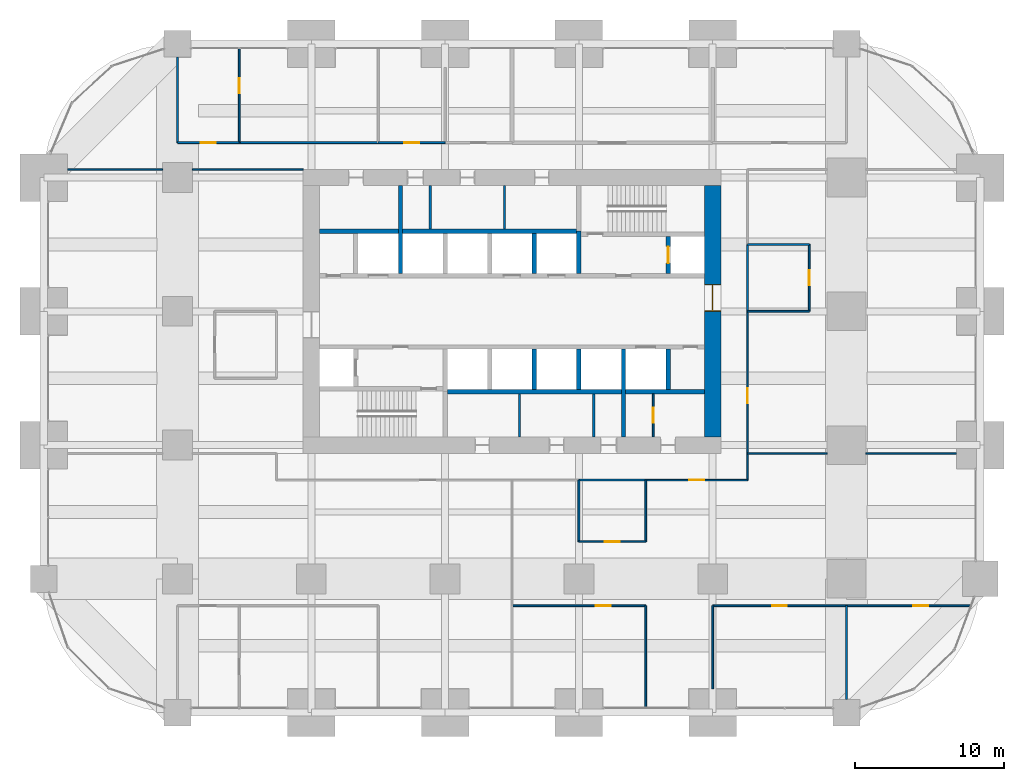
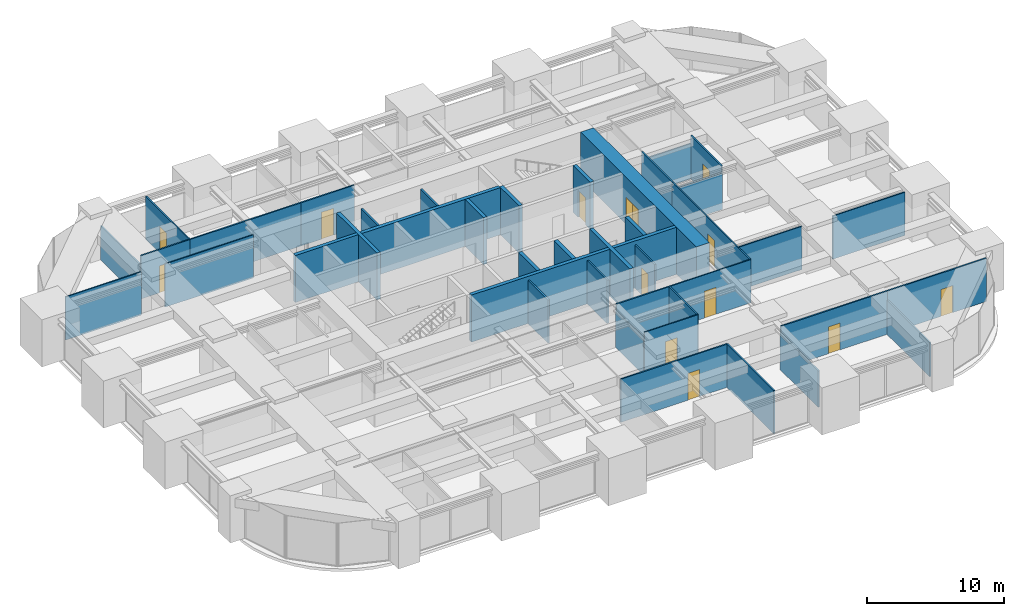
# One storey, part 43 of 45: 41 walls, 13 doors, 13 openings.
"""IFC4 building model written with IfcOpenShell, lengths in metres."""

from ifc_helpers import new_model, si_unit, direction, frame, frame_2d, origin, place, context, subcontext, project, spatial, rectangle, extrude, material, layer, layer_set, type_object, element, fill, save


model = new_model("IFC4")

# Units and contexts
model_context = context("Model", 3, precision=1e-05, world=origin(), true_north=direction((0.0, 1.0)))
body_context = subcontext(model_context, "Body", "Model", "MODEL_VIEW")
ifc_project = project(units=[si_unit("LENGTHUNIT", "METRE"), si_unit("AREAUNIT", "SQUARE_METRE"), si_unit("VOLUMEUNIT", "CUBIC_METRE"), si_unit("PLANEANGLEUNIT", "RADIAN"), si_unit("MASSUNIT", "GRAM", prefix="KILO")], contexts=[model_context])

# Site, building, storey
site_placement = place(None, origin())
site = spatial("IfcSite", under=ifc_project, at=site_placement, CompositionType="ELEMENT")
building_placement = place(site_placement, origin())
building = spatial("IfcBuilding", under=site, at=building_placement, Name="Zorevar Civic Tower", CompositionType="ELEMENT")
storey_placement = place(building_placement, frame((0.0, 0.0, 153.0)))
storey = spatial("IfcBuildingStorey", under=building, at=storey_placement, Name="L37", CompositionType="ELEMENT", Elevation=153.0)

# Wall, opening, door
ifc_material_1 = material(Name="Concrete C50/60", Category="concrete")
ifc_layer_1 = layer(ifc_material_1, 1.10009765625)
ifc_layer_set_1 = layer_set([ifc_layer_1], Name="Core wall 1100")
wall_type_1 = type_object("IfcWallType", Name="Core wall 1100", PredefinedType="SHEAR", material=ifc_layer_set_1)
wall_1_placement = place(storey_placement, frame((45.0, 18.550048828125, 0.0), z_axis=(0.0, 0.0, 1.0), x_axis=(0.0, 1.0, 0.0)))
wall_1 = element("IfcWall", 1, at=wall_1_placement, inside=storey, type_object=wall_type_1, Name="Core wall E L37", PredefinedType="SHEAR", context=body_context, shape_type="SweptSolid", body=[
    extrude(rectangle(XDim=16.89990234375, YDim=1.10009765625, at=frame_2d((8.449951171875, 0.0))), origin(), (0.0, 0.0, 1.0), 4.199951171875),
])
opening_1_placement = place(wall_1_placement, frame((8.449951171875, 0.0, 0.0)))
opening_1 = element("IfcOpeningElement", 2, at=opening_1_placement, cuts=wall_1, Name="Opening L37.02", PredefinedType="OPENING", context=body_context, shape_type="SweptSolid", body=[
    extrude(rectangle(XDim=1.800048828125, YDim=2.39990234375, at=frame_2d((0.89990234375, 1.199951171875))), frame((0.0, 0.56005859375, 0.0), z_axis=(0.0, -1.0, 0.0), x_axis=(1.0, 0.0, 0.0)), (0.0, 0.0, 1.0), 1.1201171875),
])
ifc_material_2 = material(Name="Steel door set", Category="steel")
door_type_1 = type_object("IfcDoorType", Name="Fire door FD2 1800x2400", OperationType="DOUBLE_DOOR_DOUBLE_SWING", PredefinedType="DOOR", material=ifc_material_2)
door_1_placement = place(opening_1_placement, origin())
door_1 = element("IfcDoor", 3, at=door_1_placement, inside=storey, type_object=door_type_1, Name="Door L37 01", OperationType="DOUBLE_DOOR_DOUBLE_SWING", OverallHeight=2.39990234375, OverallWidth=1.800048828125, PredefinedType="DOOR", context=body_context, shape_type="SweptSolid", body=[
    extrude(rectangle(XDim=1.800048828125, YDim=2.39990234375, at=frame_2d((0.89990234375, 1.199951171875))), frame((0.0, 0.030029296875, 0.0), z_axis=(0.0, -1.0, 0.0), x_axis=(1.0, 0.0, 0.0)), (0.0, 0.0, 1.0), 0.06005859375),
    extrude(rectangle(XDim=0.04, YDim=2.39990234375, at=frame_2d((0.02001953125, 1.199951171875))), frame((0.0, 0.5498046875, 0.0), z_axis=(0.0, -1.0, 0.0), x_axis=(1.0, 0.0, 0.0)), (0.0, 0.0, 1.0), 1.099609375),
    extrude(rectangle(XDim=0.04, YDim=2.39990234375, at=frame_2d((1.780029296875, 1.199951171875))), frame((0.0, 0.5498046875, 0.0), z_axis=(0.0, -1.0, 0.0), x_axis=(1.0, 0.0, 0.0)), (0.0, 0.0, 1.0), 1.099609375),
    extrude(rectangle(XDim=1.800048828125, YDim=0.04, at=frame_2d((0.89990234375, 2.3798828125))), frame((0.0, 0.5498046875, 0.0), z_axis=(0.0, -1.0, 0.0), x_axis=(1.0, 0.0, 0.0)), (0.0, 0.0, 1.0), 1.099609375),
])
fill(opening_1, door_1)

ifc_material_3 = material(Name="Laminated glass in black aluminium frame", Category="aluminium")
ifc_layer_2 = layer(ifc_material_3, 0.10009765625)
ifc_layer_set_2 = layer_set([ifc_layer_2], Name="Glazed partition 100")
wall_type_2 = type_object("IfcWallType", Name="Glazed partition 100", PredefinedType="PARTITIONING", material=ifc_layer_set_2)
wall_2_placement = place(storey_placement, frame((36.0, 11.5, 0.0), z_axis=(0.0, 0.0, 1.0), x_axis=(1.0, 0.0, 0.0)))
wall_2 = element("IfcWall", 4, at=wall_2_placement, inside=storey, type_object=wall_type_2, Name="Glazed partition 100 L37", PredefinedType="PARTITIONING", context=body_context, shape_type="SweptSolid", body=[
    extrude(rectangle(XDim=4.5, YDim=0.10009765625, at=frame_2d((2.25, 0.0))), origin(), (0.0, 0.0, 1.0), 3.85009765625),
])
opening_2_placement = place(wall_2_placement, frame((1.75, 0.0, 0.0)))
opening_2 = element("IfcOpeningElement", 5, at=opening_2_placement, cuts=wall_2, Name="Opening L37.21", PredefinedType="OPENING", context=body_context, shape_type="SweptSolid", body=[
    extrude(rectangle(XDim=1.0, YDim=2.39990234375, at=frame_2d((0.5, 1.199951171875))), frame((0.0, 0.06005859375, 0.0), z_axis=(0.0, -1.0, 0.0), x_axis=(1.0, 0.0, 0.0)), (0.0, 0.0, 1.0), 0.1201171875),
])
ifc_material_4 = material(Name="Timber door set", Category="wood")
door_type_2 = type_object("IfcDoorType", Name="Glazed door GD1 1000x2400", OperationType="SINGLE_SWING_LEFT", PredefinedType="DOOR", material=ifc_material_4)
door_2_placement = place(opening_2_placement, origin())
door_2 = element("IfcDoor", 6, at=door_2_placement, inside=storey, type_object=door_type_2, Name="Door L37 D1", OperationType="SINGLE_SWING_LEFT", OverallHeight=2.39990234375, OverallWidth=1.0, PredefinedType="DOOR", context=body_context, shape_type="SweptSolid", body=[
    extrude(rectangle(XDim=1.0, YDim=2.39990234375, at=frame_2d((0.5, 1.199951171875))), frame((0.0, 0.02001953125, 0.0), z_axis=(0.0, -1.0, 0.0), x_axis=(1.0, 0.0, 0.0)), (0.0, 0.0, 1.0), 0.0400390625),
])
fill(opening_2, door_2)

wall_3_placement = place(storey_placement, frame((40.5, 15.64990234375, 0.0), z_axis=(0.0, 0.0, 1.0), x_axis=(1.0, 0.0, 0.0)))
wall_3 = element("IfcWall", 7, at=wall_3_placement, inside=storey, type_object=wall_type_2, Name="Glazed partition 100 L37", PredefinedType="PARTITIONING", context=body_context, shape_type="SweptSolid", body=[
    extrude(rectangle(XDim=6.85009765625, YDim=0.10009765625, at=frame_2d((3.425048828125, 0.0))), origin(), (0.0, 0.0, 1.0), 3.85009765625),
])
opening_3_placement = place(wall_3_placement, frame((2.925048828125, 0.0, 0.0)))
opening_3 = element("IfcOpeningElement", 8, at=opening_3_placement, cuts=wall_3, Name="Opening L37.23", PredefinedType="OPENING", context=body_context, shape_type="SweptSolid", body=[
    extrude(rectangle(XDim=1.0, YDim=2.39990234375, at=frame_2d((0.5, 1.199951171875))), frame((0.0, 0.06005859375, 0.0), z_axis=(0.0, -1.0, 0.0), x_axis=(1.0, 0.0, 0.0)), (0.0, 0.0, 1.0), 0.1201171875),
])
door_3_placement = place(opening_3_placement, origin())
door_3 = element("IfcDoor", 9, at=door_3_placement, inside=storey, type_object=door_type_2, Name="Door L37 D1", OperationType="SINGLE_SWING_LEFT", OverallHeight=2.39990234375, OverallWidth=1.0, PredefinedType="DOOR", context=body_context, shape_type="SweptSolid", body=[
    extrude(rectangle(XDim=1.0, YDim=2.39990234375, at=frame_2d((0.5, 1.199951171875))), frame((0.0, 0.02001953125, 0.0), z_axis=(0.0, -1.0, 0.0), x_axis=(1.0, 0.0, 0.0)), (0.0, 0.0, 1.0), 0.0400390625),
])
fill(opening_3, door_3)

# Walls
wall_4_placement = place(storey_placement, frame((47.35009765625, 17.449951171875, 0.0), z_axis=(0.0, 0.0, 1.0), x_axis=(1.0, 0.0, 0.0)))
element("IfcWall", 10, at=wall_4_placement, inside=storey, type_object=wall_type_2, Name="Glazed partition 100 L37", PredefinedType="PARTITIONING", context=body_context, shape_type="SweptSolid", body=[
    extrude(rectangle(XDim=5.349853515625, YDim=0.10009765625, at=frame_2d((2.6748046875, 0.0))), origin(), (0.0, 0.0, 1.0), 3.85009765625),
])
wall_5_placement = place(storey_placement, frame((55.300048828125, 17.449951171875, 0.0), z_axis=(0.0, 0.0, 1.0), x_axis=(1.0, 0.0, 0.0)))
element("IfcWall", 11, at=wall_5_placement, inside=storey, type_object=wall_type_2, Name="Glazed partition 100 L37", PredefinedType="PARTITIONING", context=body_context, shape_type="SweptSolid", body=[
    extrude(rectangle(XDim=6.099853515625, YDim=0.10009765625, at=frame_2d((3.0498046875, 0.0))), origin(), (0.0, 0.0, 1.0), 3.85009765625),
])
wall_6_placement = place(storey_placement, frame((1.60009765625, 36.550048828125, 0.0), z_axis=(0.0, 0.0, 1.0), x_axis=(1.0, 0.0, 0.0)))
element("IfcWall", 12, at=wall_6_placement, inside=storey, type_object=wall_type_2, Name="Glazed partition 100 L37", PredefinedType="PARTITIONING", context=body_context, shape_type="SweptSolid", body=[
    extrude(rectangle(XDim=6.39990234375, YDim=0.10009765625, at=frame_2d((3.199951171875, 0.0))), origin(), (0.0, 0.0, 1.0), 3.85009765625),
])
wall_7_placement = place(storey_placement, frame((10.0, 36.550048828125, 0.0), z_axis=(0.0, 0.0, 1.0), x_axis=(1.0, 0.0, 0.0)))
element("IfcWall", 13, at=wall_7_placement, inside=storey, type_object=wall_type_2, Name="Glazed partition 100 L37", PredefinedType="PARTITIONING", context=body_context, shape_type="SweptSolid", body=[
    extrude(rectangle(XDim=7.449951171875, YDim=0.10009765625, at=frame_2d((3.72509765625, 0.0))), origin(), (0.0, 0.0, 1.0), 3.85009765625),
])

# Wall, opening, door
wall_8_placement = place(storey_placement, frame((47.35009765625, 15.64990234375, 0.0), z_axis=(0.0, 0.0, 1.0), x_axis=(0.0, 1.0, 0.0)))
wall_8 = element("IfcWall", 14, at=wall_8_placement, inside=storey, type_object=wall_type_2, Name="Glazed partition 100 L37", PredefinedType="PARTITIONING", context=body_context, shape_type="SweptSolid", body=[
    extrude(rectangle(XDim=11.35009765625, YDim=0.10009765625, at=frame_2d((5.675048828125, 0.0))), origin(), (0.0, 0.0, 1.0), 3.85009765625),
])
opening_4_placement = place(wall_8_placement, frame((5.175048828125, 0.0, 0.0)))
opening_4 = element("IfcOpeningElement", 15, at=opening_4_placement, cuts=wall_8, Name="Opening L37.32", PredefinedType="OPENING", context=body_context, shape_type="SweptSolid", body=[
    extrude(rectangle(XDim=1.0, YDim=2.39990234375, at=frame_2d((0.5, 1.199951171875))), frame((0.0, 0.06005859375, 0.0), z_axis=(0.0, -1.0, 0.0), x_axis=(1.0, 0.0, 0.0)), (0.0, 0.0, 1.0), 0.1201171875),
])
door_4_placement = place(opening_4_placement, origin())
door_4 = element("IfcDoor", 16, at=door_4_placement, inside=storey, type_object=door_type_2, Name="Door L37 D1", OperationType="SINGLE_SWING_LEFT", OverallHeight=2.39990234375, OverallWidth=1.0, PredefinedType="DOOR", context=body_context, shape_type="SweptSolid", body=[
    extrude(rectangle(XDim=1.0, YDim=2.39990234375, at=frame_2d((0.5, 1.199951171875))), frame((0.0, 0.02001953125, 0.0), z_axis=(0.0, -1.0, 0.0), x_axis=(1.0, 0.0, 0.0)), (0.0, 0.0, 1.0), 0.0400390625),
])
fill(opening_4, door_4)

ifc_material_5 = material(Name="Concrete C40/50", Category="concrete")
ifc_layer_3 = layer(ifc_material_5, 0.300048828125)
ifc_layer_set_3 = layer_set([ifc_layer_3], Name="Inner core wall 300")
wall_type_3 = type_object("IfcWallType", Name="Inner core wall 300", PredefinedType="SHEAR", material=ifc_layer_set_3)
wall_9_placement = place(storey_placement, frame((42.0, 29.550048828125, 0.0), z_axis=(0.0, 0.0, 1.0), x_axis=(0.0, 1.0, 0.0)))
wall_9 = element("IfcWall", 17, at=wall_9_placement, inside=storey, type_object=wall_type_3, Name="Inner core wall N02 L37", PredefinedType="SHEAR", context=body_context, shape_type="SweptSolid", body=[
    extrude(rectangle(XDim=2.5, YDim=0.300048828125, at=frame_2d((1.25, 0.0))), origin(), (0.0, 0.0, 1.0), 4.199951171875),
])
opening_5_placement = place(wall_9_placement, frame((0.699951171875, 0.0, 0.0)))
opening_5 = element("IfcOpeningElement", 18, at=opening_5_placement, cuts=wall_9, Name="Opening L37.FL2", PredefinedType="OPENING", context=body_context, shape_type="SweptSolid", body=[
    extrude(rectangle(XDim=1.10009765625, YDim=2.39990234375, at=frame_2d((0.550048828125, 1.199951171875))), frame((0.0, 0.159912109375, 0.0), z_axis=(0.0, -1.0, 0.0), x_axis=(1.0, 0.0, 0.0)), (0.0, 0.0, 1.0), 0.320068359375),
])
ifc_material_6 = material(Name="Steel door set", Category="steel")
door_type_3 = type_object("IfcDoorType", Name="Firefighting lift landing door LD3 1100x2400", OperationType="DOUBLE_DOOR_SLIDING", PredefinedType="DOOR", material=ifc_material_6)
door_5_placement = place(opening_5_placement, origin())
door_5 = element("IfcDoor", 19, at=door_5_placement, inside=storey, type_object=door_type_3, Name="Landing door FL2 L37", OperationType="DOUBLE_DOOR_SLIDING", OverallHeight=2.39990234375, OverallWidth=1.10009765625, PredefinedType="DOOR", context=body_context, shape_type="SweptSolid", body=[
    extrude(rectangle(XDim=1.10009765625, YDim=2.39990234375, at=frame_2d((0.550048828125, 1.199951171875))), frame((0.0, 0.030029296875, 0.0), z_axis=(0.0, -1.0, 0.0), x_axis=(1.0, 0.0, 0.0)), (0.0, 0.0, 1.0), 0.06005859375),
])
fill(opening_5, door_5)

# Walls
for number, where, z_axis, x_axis, name in (
    (20, (27.14990234375, 21.60009765625, 0.0), (0.0, 0.0, 1.0), (1.0, 0.0, 0.0), "Inner core wall S04 L37"),
    (21, (18.550048828125, 32.39990234375, 0.0), (0.0, 0.0, 1.0), (1.0, 0.0, 0.0), "Inner core wall N04 L37"),
):
    element("IfcWall", number, at=place(storey_placement, frame(where, z_axis=z_axis, x_axis=x_axis)), inside=storey, type_object=wall_type_3, Name=name, PredefinedType="SHEAR", context=body_context, shape_type="SweptSolid", body=[
        extrude(rectangle(XDim=17.300048828125, YDim=0.300048828125, at=frame_2d((8.64990234375, 0.0))), origin(), (0.0, 0.0, 1.0), 4.199951171875),
    ])
for number, where, z_axis, x_axis, name in (
    (22, (33.0, 29.550048828125, 0.0), (0.0, 0.0, 1.0), (0.0, 1.0, 0.0), "Inner core wall N05 L37"),
    (23, (33.0, 21.75, 0.0), (0.0, 0.0, 1.0), (0.0, 1.0, 0.0), "Inner core wall S06 L37"),
    (24, (36.0, 21.75, 0.0), (0.0, 0.0, 1.0), (0.0, 1.0, 0.0), "Inner core wall S07 L37"),
):
    element("IfcWall", number, at=place(storey_placement, frame(where, z_axis=z_axis, x_axis=x_axis)), inside=storey, type_object=wall_type_3, Name=name, PredefinedType="SHEAR", context=body_context, shape_type="SweptSolid", body=[
        extrude(rectangle(XDim=2.699951171875, YDim=0.300048828125, at=frame_2d((1.35009765625, 0.0))), origin(), (0.0, 0.0, 1.0), 4.199951171875),
    ])
for number, where, z_axis, x_axis, name in (
    (25, (39.0, 18.550048828125, 0.0), (0.0, 0.0, 1.0), (0.0, 1.0, 0.0), "Inner core wall S08 L37"),
    (26, (24.0, 29.550048828125, 0.0), (0.0, 0.0, 1.0), (0.0, 1.0, 0.0), "Inner core wall N08 L37"),
):
    element("IfcWall", number, at=place(storey_placement, frame(where, z_axis=z_axis, x_axis=x_axis)), inside=storey, type_object=wall_type_3, Name=name, PredefinedType="SHEAR", context=body_context, shape_type="SweptSolid", body=[
        extrude(rectangle(XDim=5.89990234375, YDim=0.300048828125, at=frame_2d((2.949951171875, 0.0))), origin(), (0.0, 0.0, 1.0), 4.199951171875),
    ])
wall_10_placement = place(storey_placement, frame((42.0, 21.75, 0.0), z_axis=(0.0, 0.0, 1.0), x_axis=(0.0, 1.0, 0.0)))
element("IfcWall", 27, at=wall_10_placement, inside=storey, type_object=wall_type_3, Name="Inner core wall S09 L37", PredefinedType="SHEAR", context=body_context, shape_type="SweptSolid", body=[
    extrude(rectangle(XDim=2.699951171875, YDim=0.300048828125, at=frame_2d((1.35009765625, 0.0))), origin(), (0.0, 0.0, 1.0), 4.199951171875),
])
wall_11_placement = place(storey_placement, frame((36.0, 29.550048828125, 0.0), z_axis=(0.0, 0.0, 1.0), x_axis=(0.0, 1.0, 0.0)))
element("IfcWall", 28, at=wall_11_placement, inside=storey, type_object=wall_type_3, Name="Inner core wall N10 L37", PredefinedType="SHEAR", context=body_context, shape_type="SweptSolid", body=[
    extrude(rectangle(XDim=2.849853515625, YDim=0.300048828125, at=frame_2d((1.4248046875, 0.0))), origin(), (0.0, 0.0, 1.0), 4.199951171875),
])

# Wall, opening, door
ifc_material_7 = material(Name="Gypsum board on steel studs", Category="steel")
ifc_layer_4 = layer(ifc_material_7, 0.1201171875)
ifc_layer_set_4 = layer_set([ifc_layer_4], Name="Partition 120")
wall_type_4 = type_object("IfcWallType", Name="Partition 120", PredefinedType="PARTITIONING", material=ifc_layer_set_4)
wall_12_placement = place(storey_placement, frame((31.5, 7.199951171875, 0.0), z_axis=(0.0, 0.0, 1.0), x_axis=(1.0, 0.0, 0.0)))
wall_12 = element("IfcWall", 29, at=wall_12_placement, inside=storey, type_object=wall_type_4, Name="Partition 120 L37", PredefinedType="PARTITIONING", context=body_context, shape_type="SweptSolid", body=[
    extrude(rectangle(XDim=9.0, YDim=0.1201171875, at=frame_2d((4.5, 0.0))), origin(), (0.0, 0.0, 1.0), 3.85009765625),
])
opening_6_placement = place(wall_12_placement, frame((5.64990234375, 0.0, 0.0)))
opening_6 = element("IfcOpeningElement", 30, at=opening_6_placement, cuts=wall_12, Name="Opening L37.18", PredefinedType="OPENING", context=body_context, shape_type="SweptSolid", body=[
    extrude(rectangle(XDim=1.0, YDim=2.39990234375, at=frame_2d((0.5, 1.199951171875))), frame((0.0, 0.070068359375, 0.0), z_axis=(0.0, -1.0, 0.0), x_axis=(1.0, 0.0, 0.0)), (0.0, 0.0, 1.0), 0.14013671875),
])
ifc_material_8 = material(Name="Timber door set", Category="wood")
door_type_4 = type_object("IfcDoorType", Name="Door D1 1000x2400", OperationType="SINGLE_SWING_LEFT", PredefinedType="DOOR", material=ifc_material_8)
door_6_placement = place(opening_6_placement, origin())
door_6 = element("IfcDoor", 31, at=door_6_placement, inside=storey, type_object=door_type_4, Name="Door L37 D1", OperationType="SINGLE_SWING_LEFT", OverallHeight=2.39990234375, OverallWidth=1.0, PredefinedType="DOOR", context=body_context, shape_type="SweptSolid", body=[
    extrude(rectangle(XDim=1.0, YDim=2.39990234375, at=frame_2d((0.5, 1.199951171875))), frame((0.0, 0.02490234375, 0.0), z_axis=(0.0, -1.0, 0.0), x_axis=(1.0, 0.0, 0.0)), (0.0, 0.0, 1.0), 0.050048828125),
])
fill(opening_6, door_6)

wall_13_placement = place(storey_placement, frame((45.0, 7.199951171875, 0.0), z_axis=(0.0, 0.0, 1.0), x_axis=(1.0, 0.0, 0.0)))
wall_13 = element("IfcWall", 32, at=wall_13_placement, inside=storey, type_object=wall_type_4, Name="Partition 120 L37", PredefinedType="PARTITIONING", context=body_context, shape_type="SweptSolid", body=[
    extrude(rectangle(XDim=9.0, YDim=0.1201171875, at=frame_2d((4.5, 0.0))), origin(), (0.0, 0.0, 1.0), 3.85009765625),
])
opening_7_placement = place(wall_13_placement, frame((4.0, 0.0, 0.0)))
opening_7 = element("IfcOpeningElement", 33, at=opening_7_placement, cuts=wall_13, Name="Opening L37.19", PredefinedType="OPENING", context=body_context, shape_type="SweptSolid", body=[
    extrude(rectangle(XDim=1.0, YDim=2.39990234375, at=frame_2d((0.5, 1.199951171875))), frame((0.0, 0.070068359375, 0.0), z_axis=(0.0, -1.0, 0.0), x_axis=(1.0, 0.0, 0.0)), (0.0, 0.0, 1.0), 0.14013671875),
])
door_7_placement = place(opening_7_placement, origin())
door_7 = element("IfcDoor", 34, at=door_7_placement, inside=storey, type_object=door_type_4, Name="Door L37 D1", OperationType="SINGLE_SWING_LEFT", OverallHeight=2.39990234375, OverallWidth=1.0, PredefinedType="DOOR", context=body_context, shape_type="SweptSolid", body=[
    extrude(rectangle(XDim=1.0, YDim=2.39990234375, at=frame_2d((0.5, 1.199951171875))), frame((0.0, 0.02490234375, 0.0), z_axis=(0.0, -1.0, 0.0), x_axis=(1.0, 0.0, 0.0)), (0.0, 0.0, 1.0), 0.050048828125),
])
fill(opening_7, door_7)

wall_14_placement = place(storey_placement, frame((54.0, 7.199951171875, 0.0), z_axis=(0.0, 0.0, 1.0), x_axis=(1.0, 0.0, 0.0)))
wall_14 = element("IfcWall", 35, at=wall_14_placement, inside=storey, type_object=wall_type_4, Name="Partition 120 L37", PredefinedType="PARTITIONING", context=body_context, shape_type="SweptSolid", body=[
    extrude(rectangle(XDim=8.351318359375, YDim=0.1201171875, at=frame_2d((4.17578125, 0.0))), origin(), (0.0, 0.0, 1.0), 3.85009765625),
])
opening_8_placement = place(wall_14_placement, frame((4.5, 0.0, 0.0)))
opening_8 = element("IfcOpeningElement", 36, at=opening_8_placement, cuts=wall_14, Name="Opening L37.20", PredefinedType="OPENING", context=body_context, shape_type="SweptSolid", body=[
    extrude(rectangle(XDim=1.0, YDim=2.39990234375, at=frame_2d((0.5, 1.199951171875))), frame((0.0, 0.070068359375, 0.0), z_axis=(0.0, -1.0, 0.0), x_axis=(1.0, 0.0, 0.0)), (0.0, 0.0, 1.0), 0.14013671875),
])
door_8_placement = place(opening_8_placement, origin())
door_8 = element("IfcDoor", 37, at=door_8_placement, inside=storey, type_object=door_type_4, Name="Door L37 D1", OperationType="SINGLE_SWING_LEFT", OverallHeight=2.39990234375, OverallWidth=1.0, PredefinedType="DOOR", context=body_context, shape_type="SweptSolid", body=[
    extrude(rectangle(XDim=1.0, YDim=2.39990234375, at=frame_2d((0.5, 1.199951171875))), frame((0.0, 0.02490234375, 0.0), z_axis=(0.0, -1.0, 0.0), x_axis=(1.0, 0.0, 0.0)), (0.0, 0.0, 1.0), 0.050048828125),
])
fill(opening_8, door_8)

# Walls
wall_15_placement = place(storey_placement, frame((36.0, 15.64990234375, 0.0), z_axis=(0.0, 0.0, 1.0), x_axis=(1.0, 0.0, 0.0)))
element("IfcWall", 38, at=wall_15_placement, inside=storey, type_object=wall_type_4, Name="Partition 120 L37", PredefinedType="PARTITIONING", context=body_context, shape_type="SweptSolid", body=[
    extrude(rectangle(XDim=4.5, YDim=0.1201171875, at=frame_2d((2.25, 0.0))), origin(), (0.0, 0.0, 1.0), 3.85009765625),
])
wall_16_placement = place(storey_placement, frame((47.35009765625, 27.0, 0.0), z_axis=(0.0, 0.0, 1.0), x_axis=(1.0, 0.0, 0.0)))
element("IfcWall", 39, at=wall_16_placement, inside=storey, type_object=wall_type_4, Name="Partition 120 L37", PredefinedType="PARTITIONING", context=body_context, shape_type="SweptSolid", body=[
    extrude(rectangle(XDim=4.14990234375, YDim=0.1201171875, at=frame_2d((2.074951171875, 0.0))), origin(), (0.0, 0.0, 1.0), 3.25),
])
wall_17_placement = place(storey_placement, frame((47.35009765625, 31.5, 0.0), z_axis=(0.0, 0.0, 1.0), x_axis=(1.0, 0.0, 0.0)))
element("IfcWall", 40, at=wall_17_placement, inside=storey, type_object=wall_type_4, Name="Partition 120 L37", PredefinedType="PARTITIONING", context=body_context, shape_type="SweptSolid", body=[
    extrude(rectangle(XDim=4.14990234375, YDim=0.1201171875, at=frame_2d((2.074951171875, 0.0))), origin(), (0.0, 0.0, 1.0), 3.14990234375),
])

# Wall, opening, door
wall_18_placement = place(storey_placement, frame((9.0, 38.35009765625, 0.0), z_axis=(0.0, 0.0, 1.0), x_axis=(1.0, 0.0, 0.0)))
wall_18 = element("IfcWall", 41, at=wall_18_placement, inside=storey, type_object=wall_type_4, Name="Partition 120 L37", PredefinedType="PARTITIONING", context=body_context, shape_type="SweptSolid", body=[
    extrude(rectangle(XDim=4.14990234375, YDim=0.1201171875, at=frame_2d((2.074951171875, 0.0))), origin(), (0.0, 0.0, 1.0), 3.85009765625),
])
opening_9_placement = place(wall_18_placement, frame((1.574951171875, 0.0, 0.0)))
opening_9 = element("IfcOpeningElement", 42, at=opening_9_placement, cuts=wall_18, Name="Opening L37.25", PredefinedType="OPENING", context=body_context, shape_type="SweptSolid", body=[
    extrude(rectangle(XDim=1.0, YDim=2.39990234375, at=frame_2d((0.5, 1.199951171875))), frame((0.0, 0.070068359375, 0.0), z_axis=(0.0, -1.0, 0.0), x_axis=(1.0, 0.0, 0.0)), (0.0, 0.0, 1.0), 0.14013671875),
])
door_9_placement = place(opening_9_placement, origin())
door_9 = element("IfcDoor", 43, at=door_9_placement, inside=storey, type_object=door_type_4, Name="Door L37 D1", OperationType="SINGLE_SWING_LEFT", OverallHeight=2.39990234375, OverallWidth=1.0, PredefinedType="DOOR", context=body_context, shape_type="SweptSolid", body=[
    extrude(rectangle(XDim=1.0, YDim=2.39990234375, at=frame_2d((0.5, 1.199951171875))), frame((0.0, 0.02490234375, 0.0), z_axis=(0.0, -1.0, 0.0), x_axis=(1.0, 0.0, 0.0)), (0.0, 0.0, 1.0), 0.050048828125),
])
fill(opening_9, door_9)

# Wall
wall_19_placement = place(storey_placement, frame((13.14990234375, 38.35009765625, 0.0), z_axis=(0.0, 0.0, 1.0), x_axis=(1.0, 0.0, 0.0)))
element("IfcWall", 44, at=wall_19_placement, inside=storey, type_object=wall_type_4, Name="Partition 120 L37", PredefinedType="PARTITIONING", context=body_context, shape_type="SweptSolid", body=[
    extrude(rectangle(XDim=9.35009765625, YDim=0.1201171875, at=frame_2d((4.675048828125, 0.0))), origin(), (0.0, 0.0, 1.0), 3.85009765625),
])

# Wall, opening, door
wall_20_placement = place(storey_placement, frame((22.5, 38.35009765625, 0.0), z_axis=(0.0, 0.0, 1.0), x_axis=(1.0, 0.0, 0.0)))
wall_20 = element("IfcWall", 45, at=wall_20_placement, inside=storey, type_object=wall_type_4, Name="Partition 120 L37", PredefinedType="PARTITIONING", context=body_context, shape_type="SweptSolid", body=[
    extrude(rectangle(XDim=4.5, YDim=0.1201171875, at=frame_2d((2.25, 0.0))), origin(), (0.0, 0.0, 1.0), 3.85009765625),
])
opening_10_placement = place(wall_20_placement, frame((1.75, 0.0, 0.0)))
opening_10 = element("IfcOpeningElement", 46, at=opening_10_placement, cuts=wall_20, Name="Opening L37.26", PredefinedType="OPENING", context=body_context, shape_type="SweptSolid", body=[
    extrude(rectangle(XDim=1.0, YDim=2.39990234375, at=frame_2d((0.5, 1.199951171875))), frame((0.0, 0.070068359375, 0.0), z_axis=(0.0, -1.0, 0.0), x_axis=(1.0, 0.0, 0.0)), (0.0, 0.0, 1.0), 0.14013671875),
])
door_10_placement = place(opening_10_placement, origin())
door_10 = element("IfcDoor", 47, at=door_10_placement, inside=storey, type_object=door_type_4, Name="Door L37 D1", OperationType="SINGLE_SWING_LEFT", OverallHeight=2.39990234375, OverallWidth=1.0, PredefinedType="DOOR", context=body_context, shape_type="SweptSolid", body=[
    extrude(rectangle(XDim=1.0, YDim=2.39990234375, at=frame_2d((0.5, 1.199951171875))), frame((0.0, 0.02490234375, 0.0), z_axis=(0.0, -1.0, 0.0), x_axis=(1.0, 0.0, 0.0)), (0.0, 0.0, 1.0), 0.050048828125),
])
fill(opening_10, door_10)

# Wall
wall_21_placement = place(storey_placement, frame((9.0, 38.35009765625, 0.0), z_axis=(0.0, 0.0, 1.0), x_axis=(0.0, 1.0, 0.0)))
element("IfcWall", 48, at=wall_21_placement, inside=storey, type_object=wall_type_4, Name="Partition 120 L37", PredefinedType="PARTITIONING", context=body_context, shape_type="SweptSolid", body=[
    extrude(rectangle(XDim=5.75, YDim=0.1201171875, at=frame_2d((2.875, 0.0))), origin(), (0.0, 0.0, 1.0), 3.050048828125),
])

# Wall, opening, door
wall_22_placement = place(storey_placement, frame((13.14990234375, 38.35009765625, 0.0), z_axis=(0.0, 0.0, 1.0), x_axis=(0.0, 1.0, 0.0)))
wall_22 = element("IfcWall", 49, at=wall_22_placement, inside=storey, type_object=wall_type_4, Name="Partition 120 L37", PredefinedType="PARTITIONING", context=body_context, shape_type="SweptSolid", body=[
    extrude(rectangle(XDim=6.33984375, YDim=0.1201171875, at=frame_2d((3.169921875, 0.0))), origin(), (0.0, 0.0, 1.0), 3.85009765625),
])
opening_11_placement = place(wall_22_placement, frame((3.324951171875, 0.0, 0.0)))
opening_11 = element("IfcOpeningElement", 50, at=opening_11_placement, cuts=wall_22, Name="Opening L37.30", PredefinedType="OPENING", context=body_context, shape_type="SweptSolid", body=[
    extrude(rectangle(XDim=1.0, YDim=2.39990234375, at=frame_2d((0.5, 1.199951171875))), frame((0.0, 0.070068359375, 0.0), z_axis=(0.0, -1.0, 0.0), x_axis=(1.0, 0.0, 0.0)), (0.0, 0.0, 1.0), 0.14013671875),
])
door_11_placement = place(opening_11_placement, origin())
door_11 = element("IfcDoor", 51, at=door_11_placement, inside=storey, type_object=door_type_4, Name="Door L37 D1", OperationType="SINGLE_SWING_RIGHT", OverallHeight=2.39990234375, OverallWidth=1.0, PredefinedType="DOOR", context=body_context, shape_type="SweptSolid", body=[
    extrude(rectangle(XDim=1.0, YDim=2.39990234375, at=frame_2d((0.5, 1.199951171875))), frame((0.0, 0.02490234375, 0.0), z_axis=(0.0, -1.0, 0.0), x_axis=(1.0, 0.0, 0.0)), (0.0, 0.0, 1.0), 0.050048828125),
])
fill(opening_11, door_11)

# Walls
wall_23_placement = place(storey_placement, frame((36.0, 11.5, 0.0), z_axis=(0.0, 0.0, 1.0), x_axis=(0.0, 1.0, 0.0)))
element("IfcWall", 52, at=wall_23_placement, inside=storey, type_object=wall_type_4, Name="Partition 120 L37", PredefinedType="PARTITIONING", context=body_context, shape_type="SweptSolid", body=[
    extrude(rectangle(XDim=4.14990234375, YDim=0.1201171875, at=frame_2d((2.074951171875, 0.0))), origin(), (0.0, 0.0, 1.0), 3.25),
])
wall_24_placement = place(storey_placement, frame((40.5, 0.31005859375, 0.0), z_axis=(0.0, 0.0, 1.0), x_axis=(0.0, 1.0, 0.0)))
element("IfcWall", 53, at=wall_24_placement, inside=storey, type_object=wall_type_4, Name="Partition 120 L37", PredefinedType="PARTITIONING", context=body_context, shape_type="SweptSolid", body=[
    extrude(rectangle(XDim=6.889892578125, YDim=0.1201171875, at=frame_2d((3.44482421875, 0.0))), origin(), (0.0, 0.0, 1.0), 3.85009765625),
])
wall_25_placement = place(storey_placement, frame((40.5, 11.5, 0.0), z_axis=(0.0, 0.0, 1.0), x_axis=(0.0, 1.0, 0.0)))
element("IfcWall", 54, at=wall_25_placement, inside=storey, type_object=wall_type_4, Name="Partition 120 L37", PredefinedType="PARTITIONING", context=body_context, shape_type="SweptSolid", body=[
    extrude(rectangle(XDim=4.14990234375, YDim=0.1201171875, at=frame_2d((2.074951171875, 0.0))), origin(), (0.0, 0.0, 1.0), 3.85009765625),
])
wall_26_placement = place(storey_placement, frame((45.0, 1.60009765625, 0.0), z_axis=(0.0, 0.0, 1.0), x_axis=(0.0, 1.0, 0.0)))
element("IfcWall", 55, at=wall_26_placement, inside=storey, type_object=wall_type_4, Name="Partition 120 L37", PredefinedType="PARTITIONING", context=body_context, shape_type="SweptSolid", body=[
    extrude(rectangle(XDim=5.599853515625, YDim=0.1201171875, at=frame_2d((2.7998046875, 0.0))), origin(), (0.0, 0.0, 1.0), 3.25),
])
wall_27_placement = place(storey_placement, frame((47.35009765625, 27.0, 0.0), z_axis=(0.0, 0.0, 1.0), x_axis=(0.0, 1.0, 0.0)))
element("IfcWall", 56, at=wall_27_placement, inside=storey, type_object=wall_type_4, Name="Partition 120 L37", PredefinedType="PARTITIONING", context=body_context, shape_type="SweptSolid", body=[
    extrude(rectangle(XDim=4.5, YDim=0.1201171875, at=frame_2d((2.25, 0.0))), origin(), (0.0, 0.0, 1.0), 3.85009765625),
])

# Wall, opening, door
wall_28_placement = place(storey_placement, frame((51.5, 27.0, 0.0), z_axis=(0.0, 0.0, 1.0), x_axis=(0.0, 1.0, 0.0)))
wall_28 = element("IfcWall", 57, at=wall_28_placement, inside=storey, type_object=wall_type_4, Name="Partition 120 L37", PredefinedType="PARTITIONING", context=body_context, shape_type="SweptSolid", body=[
    extrude(rectangle(XDim=4.5, YDim=0.1201171875, at=frame_2d((2.25, 0.0))), origin(), (0.0, 0.0, 1.0), 3.85009765625),
])
opening_12_placement = place(wall_28_placement, frame((1.75, 0.0, 0.0)))
opening_12 = element("IfcOpeningElement", 58, at=opening_12_placement, cuts=wall_28, Name="Opening L37.33", PredefinedType="OPENING", context=body_context, shape_type="SweptSolid", body=[
    extrude(rectangle(XDim=1.0, YDim=2.39990234375, at=frame_2d((0.5, 1.199951171875))), frame((0.0, 0.070068359375, 0.0), z_axis=(0.0, -1.0, 0.0), x_axis=(1.0, 0.0, 0.0)), (0.0, 0.0, 1.0), 0.14013671875),
])
door_12_placement = place(opening_12_placement, origin())
door_12 = element("IfcDoor", 59, at=door_12_placement, inside=storey, type_object=door_type_4, Name="Door L37 D1", OperationType="SINGLE_SWING_RIGHT", OverallHeight=2.39990234375, OverallWidth=1.0, PredefinedType="DOOR", context=body_context, shape_type="SweptSolid", body=[
    extrude(rectangle(XDim=1.0, YDim=2.39990234375, at=frame_2d((0.5, 1.199951171875))), frame((0.0, 0.02490234375, 0.0), z_axis=(0.0, -1.0, 0.0), x_axis=(1.0, 0.0, 0.0)), (0.0, 0.0, 1.0), 0.050048828125),
])
fill(opening_12, door_12)

# Wall
wall_29_placement = place(storey_placement, frame((54.0, 0.89990234375, 0.0), z_axis=(0.0, 0.0, 1.0), x_axis=(0.0, 1.0, 0.0)))
element("IfcWall", 60, at=wall_29_placement, inside=storey, type_object=wall_type_4, Name="Partition 120 L37", PredefinedType="PARTITIONING", context=body_context, shape_type="SweptSolid", body=[
    extrude(rectangle(XDim=6.300048828125, YDim=0.1201171875, at=frame_2d((3.14990234375, 0.0))), origin(), (0.0, 0.0, 1.0), 3.050048828125),
])

# Wall, opening, door
wall_30_placement = place(storey_placement, frame((41.0, 18.550048828125, 0.0), z_axis=(0.0, 0.0, 1.0), x_axis=(0.0, 1.0, 0.0)))
wall_30 = element("IfcWall", 61, at=wall_30_placement, inside=storey, type_object=wall_type_4, Name="Partition L37", PredefinedType="PARTITIONING", context=body_context, shape_type="SweptSolid", body=[
    extrude(rectangle(XDim=2.89990234375, YDim=0.1201171875, at=frame_2d((1.449951171875, 0.0))), origin(), (0.0, 0.0, 1.0), 3.85009765625),
])
opening_13_placement = place(wall_30_placement, frame((0.949951171875, 0.0, 0.0)))
opening_13 = element("IfcOpeningElement", 62, at=opening_13_placement, cuts=wall_30, Name="Opening L37.34", PredefinedType="OPENING", context=body_context, shape_type="SweptSolid", body=[
    extrude(rectangle(XDim=1.0, YDim=2.39990234375, at=frame_2d((0.5, 1.199951171875))), frame((0.0, 0.070068359375, 0.0), z_axis=(0.0, -1.0, 0.0), x_axis=(1.0, 0.0, 0.0)), (0.0, 0.0, 1.0), 0.14013671875),
])
ifc_material_9 = material(Name="Steel door set", Category="steel")
door_type_5 = type_object("IfcDoorType", Name="Fire door FD1 1000x2400", OperationType="SINGLE_SWING_LEFT", PredefinedType="DOOR", material=ifc_material_9)
door_13_placement = place(opening_13_placement, origin())
door_13 = element("IfcDoor", 63, at=door_13_placement, inside=storey, type_object=door_type_5, Name="Door L37 ES", OperationType="SINGLE_SWING_RIGHT", OverallHeight=2.39990234375, OverallWidth=1.0, PredefinedType="DOOR", context=body_context, shape_type="SweptSolid", body=[
    extrude(rectangle(XDim=1.0, YDim=2.39990234375, at=frame_2d((0.5, 1.199951171875))), frame((0.0, 0.030029296875, 0.0), z_axis=(0.0, -1.0, 0.0), x_axis=(1.0, 0.0, 0.0)), (0.0, 0.0, 1.0), 0.06005859375),
])
fill(opening_13, door_13)

# Walls
ifc_material_10 = material(Name="Gypsum board on steel studs, moisture resistant", Category="steel")
ifc_layer_5 = layer(ifc_material_10, 0.14990234375)
ifc_layer_set_5 = layer_set([ifc_layer_5], Name="WC partition 150")
wall_type_5 = type_object("IfcWallType", Name="WC partition 150", PredefinedType="PARTITIONING", material=ifc_layer_set_5)
for number, where, z_axis, x_axis, name in (
    (64, (32.0, 18.550048828125, 0.0), (0.0, 0.0, 1.0), (0.0, 1.0, 0.0), "WC partition L37"),
    (65, (37.0, 18.550048828125, 0.0), (0.0, 0.0, 1.0), (0.0, 1.0, 0.0), "WC partition L37"),
    (66, (31.0, 32.550048828125, 0.0), (0.0, 0.0, 1.0), (0.0, 1.0, 0.0), "WC partition L37"),
    (67, (26.0, 32.550048828125, 0.0), (0.0, 0.0, 1.0), (0.0, 1.0, 0.0), "WC partition L37"),
):
    element("IfcWall", number, at=place(storey_placement, frame(where, z_axis=z_axis, x_axis=x_axis)), inside=storey, type_object=wall_type_5, Name=name, PredefinedType="PARTITIONING", context=body_context, shape_type="SweptSolid", body=[
        extrude(rectangle(XDim=2.89990234375, YDim=0.14990234375, at=frame_2d((1.449951171875, 0.0))), origin(), (0.0, 0.0, 1.0), 3.85009765625),
    ])

save(model, "model.ifc")
